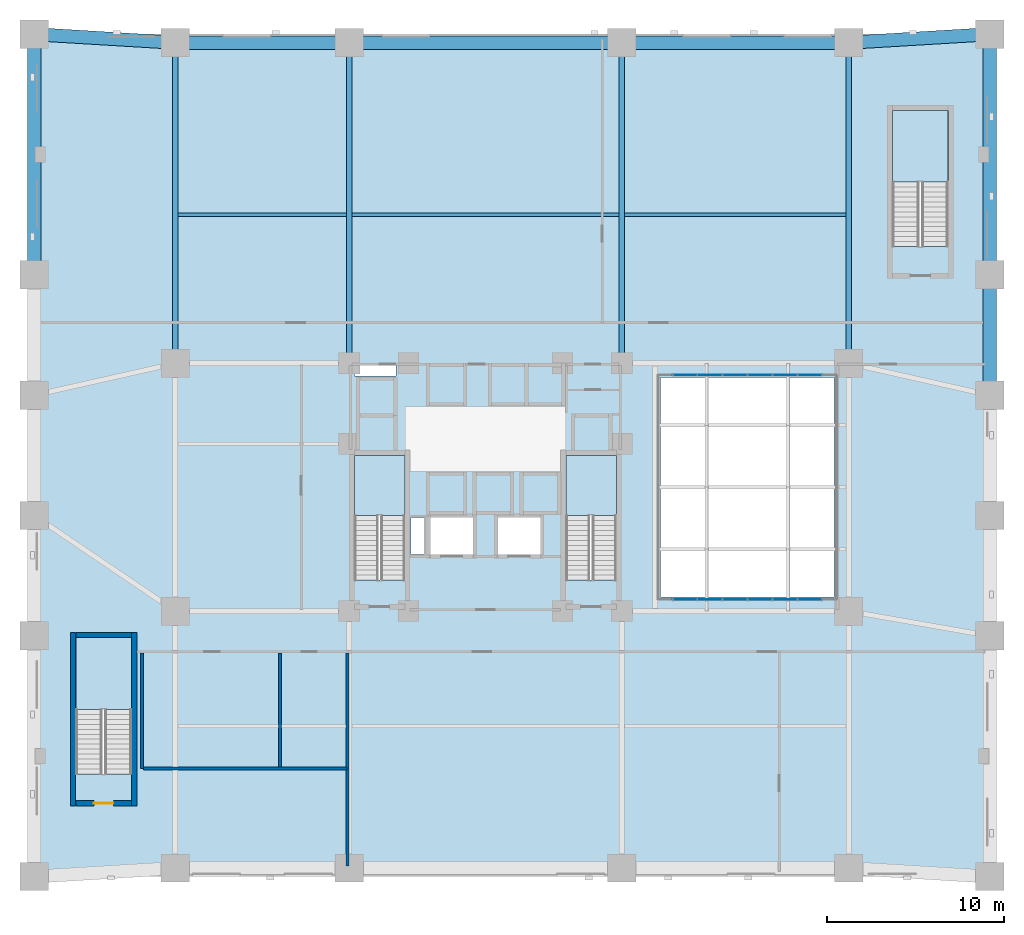
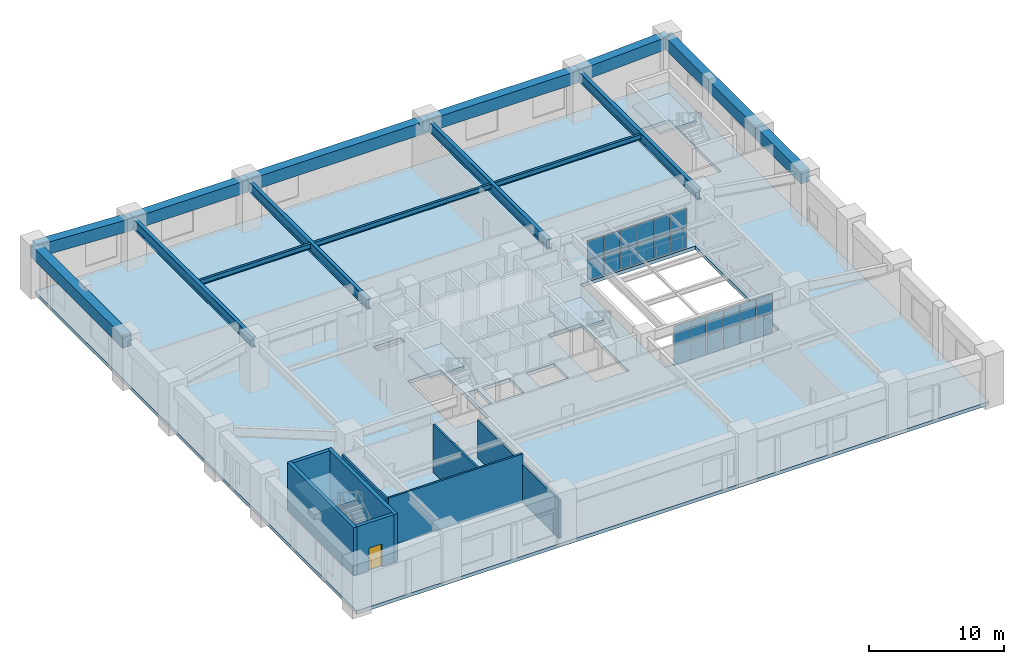
# One storey, part 3 of 11: 24 plates, 15 beams, 8 walls, 5 slabs, 1 door, 1 opening, 6 elements without a shape of their own.
"""IFC4 building model written with IfcOpenShell, lengths in metres."""

from ifc_helpers import new_model, si_unit, derived_unit, direction, frame, frame_2d, origin, origin_2d, place, context, subcontext, project, spatial, polyline, rectangle, i_section, outline, extrude, material, layer, layer_set, material_profile, profile_set, type_object, element, fill, aggregate, save


model = new_model("IFC4")

# Units and contexts
model_context = context("Model", 3, precision=1e-05, world=origin(), true_north=direction((0.0, 1.0)))
body_context = subcontext(model_context, "Body", "Model", "MODEL_VIEW")
ifc_project = project(units=[si_unit("LENGTHUNIT", "METRE"), si_unit("AREAUNIT", "SQUARE_METRE"), si_unit("VOLUMEUNIT", "CUBIC_METRE"), si_unit("PLANEANGLEUNIT", "RADIAN"), si_unit("MASSUNIT", "GRAM", prefix="KILO"), derived_unit("THERMALTRANSMITTANCEUNIT", [(si_unit("MASSUNIT", "GRAM", prefix="KILO"), 1), (si_unit("TIMEUNIT", "SECOND"), -3), (si_unit("THERMODYNAMICTEMPERATUREUNIT", "KELVIN"), -1)])], contexts=[model_context])

# Site, building, storey
site_placement = place(None, origin())
site = spatial("IfcSite", under=ifc_project, at=site_placement, CompositionType="ELEMENT")
building_placement = place(site_placement, origin())
building = spatial("IfcBuilding", under=site, at=building_placement, Name="Korrvale Station Residences", CompositionType="ELEMENT")
storey_placement = place(building_placement, frame((0.0, 0.0, 16.0)))
storey = spatial("IfcBuildingStorey", under=building, at=storey_placement, Name="L03", CompositionType="ELEMENT", Elevation=16.0)

# Beams
ifc_material_1 = material(Name="Steel S355", Category="steel")
ifc_material_profile_1 = material_profile(ifc_material_1, i_section(OverallWidth=0.300048828125, OverallDepth=0.89990234375, WebThickness=0.01611328125, FlangeThickness=0.030029296875, FilletRadius=0.01611328125, at=origin_2d()), Name="WWF900x262")
ifc_profile_set_1 = profile_set([ifc_material_profile_1], Name="Steel S355")
beam_type_1 = type_object("IfcBeamType", Name="BM-BM-WWF900x262-S355", PredefinedType="BEAM", material=ifc_profile_set_1)
for number, where, z_axis, x_axis, name in (
    (1, (7.97998046875, 29.0, 3.89990234375), (0.0, 1.0, 0.0), (-1.0, 0.0, 0.0), "L03 Station Primary Girder 03"),
    (2, (46.02001953125, 29.0, 3.89990234375), (0.0, 1.0, 0.0), (-1.0, 0.0, 0.0), "L03 Station Primary Girder 06"),
    (3, (17.800048828125, 29.0, 3.89990234375), (0.0, 1.0, 0.0), (-1.0, 0.0, 0.0), "L03 Station Primary Girder 09"),
    (4, (33.199951171875, 29.0, 3.89990234375), (0.0, 1.0, 0.0), (-1.0, 0.0, 0.0), "L03 Station Primary Girder 10"),
):
    element("IfcBeam", number, at=place(storey_placement, frame(where, z_axis=z_axis, x_axis=x_axis)), inside=storey, type_object=beam_type_1, Name=name, PredefinedType="BEAM", context=body_context, shape_type="SweptSolid", body=[
        extrude(i_section(OverallWidth=0.300048828125, OverallDepth=0.89990234375, WebThickness=0.01611328125, FlangeThickness=0.030029296875, FilletRadius=0.01611328125, at=origin_2d()), origin(), (0.0, 0.0, 1.0), 18.1201171875),
    ])
ifc_material_profile_2 = material_profile(ifc_material_1, i_section(OverallWidth=0.18994140625, OverallDepth=0.45703125, WebThickness=0.009033203125, FlangeThickness=0.014404296875, FilletRadius=0.01611328125, at=origin_2d()), Name="W460x74")
ifc_profile_set_2 = profile_set([ifc_material_profile_2], Name="Steel S355")
beam_type_2 = type_object("IfcBeamType", Name="BM-JST-W460x74-S355", PredefinedType="JOIST", material=ifc_profile_set_2)
beam_1_placement = place(storey_placement, frame((8.1298828125, 37.39990234375, 4.12158203125), z_axis=(1.0, 0.0, 0.0), x_axis=(0.0, 1.0, 0.0)))
element("IfcBeam", 5, at=beam_1_placement, inside=storey, type_object=beam_type_2, Name="L03 Station Floor Joist 01", PredefinedType="JOIST", context=body_context, shape_type="SweptSolid", body=[
    extrude(i_section(OverallWidth=0.18994140625, OverallDepth=0.45703125, WebThickness=0.009033203125, FlangeThickness=0.014404296875, FilletRadius=0.01611328125, at=origin_2d()), origin(), (0.0, 0.0, 1.0), 9.52001953125),
])
beam_2_placement = place(storey_placement, frame((17.949951171875, 37.39990234375, 4.12158203125), z_axis=(1.0, 0.0, 0.0), x_axis=(0.0, 1.0, 0.0)))
element("IfcBeam", 6, at=beam_2_placement, inside=storey, type_object=beam_type_2, Name="L03 Station Floor Joist 02", PredefinedType="JOIST", context=body_context, shape_type="SweptSolid", body=[
    extrude(i_section(OverallWidth=0.18994140625, OverallDepth=0.45703125, WebThickness=0.009033203125, FlangeThickness=0.014404296875, FilletRadius=0.01611328125, at=origin_2d()), origin(), (0.0, 0.0, 1.0), 15.10009765625),
])
beam_3_placement = place(storey_placement, frame((33.35009765625, 37.39990234375, 4.12158203125), z_axis=(1.0, 0.0, 0.0), x_axis=(0.0, 1.0, 0.0)))
element("IfcBeam", 7, at=beam_3_placement, inside=storey, type_object=beam_type_2, Name="L03 Station Floor Joist 03", PredefinedType="JOIST", context=body_context, shape_type="SweptSolid", body=[
    extrude(i_section(OverallWidth=0.18994140625, OverallDepth=0.45703125, WebThickness=0.009033203125, FlangeThickness=0.014404296875, FilletRadius=0.01611328125, at=origin_2d()), origin(), (0.0, 0.0, 1.0), 12.52001953125),
])
ifc_material_2 = material(Name="Concrete C70/85", Category="concrete")
ifc_material_profile_3 = material_profile(ifc_material_2, rectangle(XDim=0.75, YDim=1.10009765625, at=origin_2d()), Name="RCB750x1100")
ifc_profile_set_3 = profile_set([ifc_material_profile_3], Name="Concrete C70/85")
beam_type_3 = type_object("IfcBeamType", Name="BM-SPB-RCB750x1100-C7085", PredefinedType="SPANDREL", material=ifc_profile_set_3)
beam_4_placement = place(storey_placement, frame((0.0, 34.0, 3.800048828125), z_axis=(0.0, 1.0, 0.0), x_axis=(-1.0, 0.0, 0.0)))
element("IfcBeam", 8, at=beam_4_placement, inside=storey, type_object=beam_type_3, Name="L03 Station Spandrel Beam 05", PredefinedType="SPANDREL", context=body_context, shape_type="SweptSolid", body=[
    extrude(rectangle(XDim=0.75, YDim=1.10009765625, at=origin_2d()), origin(), (0.0, 0.0, 1.0), 13.60009765625),
])
beam_5_placement = place(storey_placement, frame((54.0, 27.199951171875, 3.800048828125), z_axis=(0.0, 1.0, 0.0), x_axis=(-1.0, 0.0, 0.0)))
element("IfcBeam", 9, at=beam_5_placement, inside=storey, type_object=beam_type_3, Name="L03 Station Spandrel Beam 09", PredefinedType="SPANDREL", context=body_context, shape_type="SweptSolid", body=[
    extrude(rectangle(XDim=0.75, YDim=1.10009765625, at=origin_2d()), origin(), (0.0, 0.0, 1.0), 6.800048828125),
])
beam_6_placement = place(storey_placement, frame((54.0, 34.0, 3.800048828125), z_axis=(0.0, 1.0, 0.0), x_axis=(-1.0, 0.0, 0.0)))
element("IfcBeam", 10, at=beam_6_placement, inside=storey, type_object=beam_type_3, Name="L03 Station Spandrel Beam 10", PredefinedType="SPANDREL", context=body_context, shape_type="SweptSolid", body=[
    extrude(rectangle(XDim=0.75, YDim=1.10009765625, at=origin_2d()), origin(), (0.0, 0.0, 1.0), 13.60009765625),
])
beam_7_placement = place(storey_placement, frame((0.0, 47.60009765625, 3.800048828125), z_axis=(0.998195997903, -0.060039568374, 0.0), x_axis=(0.060039568374, 0.998195997903, 0.0)))
element("IfcBeam", 11, at=beam_7_placement, inside=storey, type_object=beam_type_3, Name="L03 Station Spandrel Beam 16", PredefinedType="SPANDREL", context=body_context, shape_type="SweptSolid", body=[
    extrude(rectangle(XDim=0.75, YDim=1.10009765625, at=origin_2d()), origin(), (0.0, 0.0, 1.0), 7.994384765625),
])
beam_8_placement = place(storey_placement, frame((7.97998046875, 47.1201171875, 3.800048828125), z_axis=(1.0, 0.0, 0.0), x_axis=(0.0, 1.0, 0.0)))
element("IfcBeam", 12, at=beam_8_placement, inside=storey, type_object=beam_type_3, Name="L03 Station Spandrel Beam 17", PredefinedType="SPANDREL", context=body_context, shape_type="SweptSolid", body=[
    extrude(rectangle(XDim=0.75, YDim=1.10009765625, at=origin_2d()), origin(), (0.0, 0.0, 1.0), 9.820068359375),
])
beam_9_placement = place(storey_placement, frame((17.800048828125, 47.1201171875, 3.800048828125), z_axis=(1.0, 0.0, 0.0), x_axis=(0.0, 1.0, 0.0)))
element("IfcBeam", 13, at=beam_9_placement, inside=storey, type_object=beam_type_3, Name="L03 Station Spandrel Beam 18", PredefinedType="SPANDREL", context=body_context, shape_type="SweptSolid", body=[
    extrude(rectangle(XDim=0.75, YDim=1.10009765625, at=origin_2d()), origin(), (0.0, 0.0, 1.0), 15.39990234375),
])
beam_10_placement = place(storey_placement, frame((33.199951171875, 47.1201171875, 3.800048828125), z_axis=(1.0, 0.0, 0.0), x_axis=(0.0, 1.0, 0.0)))
element("IfcBeam", 14, at=beam_10_placement, inside=storey, type_object=beam_type_3, Name="L03 Station Spandrel Beam 19", PredefinedType="SPANDREL", context=body_context, shape_type="SweptSolid", body=[
    extrude(rectangle(XDim=0.75, YDim=1.10009765625, at=origin_2d()), origin(), (0.0, 0.0, 1.0), 12.820068359375),
])
beam_11_placement = place(storey_placement, frame((46.02001953125, 47.1201171875, 3.800048828125), z_axis=(0.998195997903, 0.060039568374, 0.0), x_axis=(-0.060039568374, 0.998195997903, 0.0)))
element("IfcBeam", 15, at=beam_11_placement, inside=storey, type_object=beam_type_3, Name="L03 Station Spandrel Beam 20", PredefinedType="SPANDREL", context=body_context, shape_type="SweptSolid", body=[
    extrude(rectangle(XDim=0.75, YDim=1.10009765625, at=origin_2d()), origin(), (0.0, 0.0, 1.0), 7.994384765625),
])

# Curtain wall, plates
ifc_material_3 = material(Name="Unitised thermally broken aluminium curtain wall with triple low-e IGU", Category="aluminium")
curtain_wall_type = type_object("IfcCurtainWallType", Name="CW-ATR-POD", PredefinedType="NOTDEFINED", material=ifc_material_3)
curtain_wall_1_placement = place(storey_placement, origin())
curtain_wall_1 = element("IfcCurtainWall", 16, at=curtain_wall_1_placement, inside=storey, type_object=curtain_wall_type, Name="L03 Curtain Wall CW3-RUN-5", PredefinedType="NOTDEFINED")
ifc_material_4 = material(Name="Triple-glazed low-e argon insulated glass unit", Category="glass")
ifc_layer_1 = layer(ifc_material_4, 0.035888671875, Name="Triple-glazed low-e argon insulated glass unit")
ifc_layer_set_1 = layer_set([ifc_layer_1], Name="Triple-glazed low-e argon insulated glass unit")
plate_type = type_object("IfcPlateType", Name="CW-ATR-POD-P", PredefinedType="CURTAIN_PANEL", material=ifc_layer_set_1)
plate_1_placement = place(storey_placement, frame((36.75830078125, 15.64990234375, 0.030029296875), z_axis=(0.0, 0.0, 1.0), x_axis=(1.0, 0.0, 0.0)))
plate_1 = element("IfcPlate", 17, at=plate_1_placement, type_object=plate_type, Name="CW-ATR-POD Glazing Panel 1-1", PredefinedType="CURTAIN_PANEL", context=body_context, shape_type="SweptSolid", body=[
    extrude(rectangle(XDim=1.356689453125, YDim=0.035888671875, at=origin_2d()), origin(), (0.0, 0.0, 1.0), 1.7900390625),
])
plate_2_placement = place(storey_placement, frame((36.75830078125, 15.64990234375, 1.880126953125), z_axis=(0.0, 0.0, 1.0), x_axis=(1.0, 0.0, 0.0)))
plate_2 = element("IfcPlate", 18, at=plate_2_placement, type_object=plate_type, Name="CW-ATR-POD Glazing Panel 1-2", PredefinedType="CURTAIN_PANEL", context=body_context, shape_type="SweptSolid", body=[
    extrude(rectangle(XDim=1.356689453125, YDim=0.035888671875, at=origin_2d()), origin(), (0.0, 0.0, 1.0), 1.68994140625),
])
plate_3_placement = place(storey_placement, frame((38.175048828125, 15.64990234375, 0.030029296875), z_axis=(0.0, 0.0, 1.0), x_axis=(1.0, 0.0, 0.0)))
plate_3 = element("IfcPlate", 19, at=plate_3_placement, type_object=plate_type, Name="CW-ATR-POD Glazing Panel 2-1", PredefinedType="CURTAIN_PANEL", context=body_context, shape_type="SweptSolid", body=[
    extrude(rectangle(XDim=1.356689453125, YDim=0.035888671875, at=origin_2d()), origin(), (0.0, 0.0, 1.0), 1.7900390625),
])
plate_4_placement = place(storey_placement, frame((38.175048828125, 15.64990234375, 1.880126953125), z_axis=(0.0, 0.0, 1.0), x_axis=(1.0, 0.0, 0.0)))
plate_4 = element("IfcPlate", 20, at=plate_4_placement, type_object=plate_type, Name="CW-ATR-POD Glazing Panel 2-2", PredefinedType="CURTAIN_PANEL", context=body_context, shape_type="SweptSolid", body=[
    extrude(rectangle(XDim=1.356689453125, YDim=0.035888671875, at=origin_2d()), origin(), (0.0, 0.0, 1.0), 1.68994140625),
])
plate_5_placement = place(storey_placement, frame((39.591796875, 15.64990234375, 0.030029296875), z_axis=(0.0, 0.0, 1.0), x_axis=(1.0, 0.0, 0.0)))
plate_5 = element("IfcPlate", 21, at=plate_5_placement, type_object=plate_type, Name="CW-ATR-POD Glazing Panel 3-1", PredefinedType="CURTAIN_PANEL", context=body_context, shape_type="SweptSolid", body=[
    extrude(rectangle(XDim=1.356689453125, YDim=0.035888671875, at=origin_2d()), origin(), (0.0, 0.0, 1.0), 1.7900390625),
])
plate_6_placement = place(storey_placement, frame((39.591796875, 15.64990234375, 1.880126953125), z_axis=(0.0, 0.0, 1.0), x_axis=(1.0, 0.0, 0.0)))
plate_6 = element("IfcPlate", 22, at=plate_6_placement, type_object=plate_type, Name="CW-ATR-POD Glazing Panel 3-2", PredefinedType="CURTAIN_PANEL", context=body_context, shape_type="SweptSolid", body=[
    extrude(rectangle(XDim=1.356689453125, YDim=0.035888671875, at=origin_2d()), origin(), (0.0, 0.0, 1.0), 1.68994140625),
])
plate_7_placement = place(storey_placement, frame((41.00830078125, 15.64990234375, 0.030029296875), z_axis=(0.0, 0.0, 1.0), x_axis=(1.0, 0.0, 0.0)))
plate_7 = element("IfcPlate", 23, at=plate_7_placement, type_object=plate_type, Name="CW-ATR-POD Glazing Panel 4-1", PredefinedType="CURTAIN_PANEL", context=body_context, shape_type="SweptSolid", body=[
    extrude(rectangle(XDim=1.356689453125, YDim=0.035888671875, at=origin_2d()), origin(), (0.0, 0.0, 1.0), 1.7900390625),
])
plate_8_placement = place(storey_placement, frame((41.00830078125, 15.64990234375, 1.880126953125), z_axis=(0.0, 0.0, 1.0), x_axis=(1.0, 0.0, 0.0)))
plate_8 = element("IfcPlate", 24, at=plate_8_placement, type_object=plate_type, Name="CW-ATR-POD Glazing Panel 4-2", PredefinedType="CURTAIN_PANEL", context=body_context, shape_type="SweptSolid", body=[
    extrude(rectangle(XDim=1.356689453125, YDim=0.035888671875, at=origin_2d()), origin(), (0.0, 0.0, 1.0), 1.68994140625),
])
plate_9_placement = place(storey_placement, frame((42.425048828125, 15.64990234375, 0.030029296875), z_axis=(0.0, 0.0, 1.0), x_axis=(1.0, 0.0, 0.0)))
plate_9 = element("IfcPlate", 25, at=plate_9_placement, type_object=plate_type, Name="CW-ATR-POD Glazing Panel 5-1", PredefinedType="CURTAIN_PANEL", context=body_context, shape_type="SweptSolid", body=[
    extrude(rectangle(XDim=1.356689453125, YDim=0.035888671875, at=origin_2d()), origin(), (0.0, 0.0, 1.0), 1.7900390625),
])
plate_10_placement = place(storey_placement, frame((42.425048828125, 15.64990234375, 1.880126953125), z_axis=(0.0, 0.0, 1.0), x_axis=(1.0, 0.0, 0.0)))
plate_10 = element("IfcPlate", 26, at=plate_10_placement, type_object=plate_type, Name="CW-ATR-POD Glazing Panel 5-2", PredefinedType="CURTAIN_PANEL", context=body_context, shape_type="SweptSolid", body=[
    extrude(rectangle(XDim=1.356689453125, YDim=0.035888671875, at=origin_2d()), origin(), (0.0, 0.0, 1.0), 1.68994140625),
])
plate_11_placement = place(storey_placement, frame((43.841796875, 15.64990234375, 0.030029296875), z_axis=(0.0, 0.0, 1.0), x_axis=(1.0, 0.0, 0.0)))
plate_11 = element("IfcPlate", 27, at=plate_11_placement, type_object=plate_type, Name="CW-ATR-POD Glazing Panel 6-1", PredefinedType="CURTAIN_PANEL", context=body_context, shape_type="SweptSolid", body=[
    extrude(rectangle(XDim=1.356689453125, YDim=0.035888671875, at=origin_2d()), origin(), (0.0, 0.0, 1.0), 1.7900390625),
])
plate_12_placement = place(storey_placement, frame((43.841796875, 15.64990234375, 1.880126953125), z_axis=(0.0, 0.0, 1.0), x_axis=(1.0, 0.0, 0.0)))
plate_12 = element("IfcPlate", 28, at=plate_12_placement, type_object=plate_type, Name="CW-ATR-POD Glazing Panel 6-2", PredefinedType="CURTAIN_PANEL", context=body_context, shape_type="SweptSolid", body=[
    extrude(rectangle(XDim=1.356689453125, YDim=0.035888671875, at=origin_2d()), origin(), (0.0, 0.0, 1.0), 1.68994140625),
])
aggregate(curtain_wall_1, [plate_1, plate_2, plate_3, plate_4, plate_5, plate_6, plate_7, plate_8, plate_9, plate_10, plate_11, plate_12])

curtain_wall_2_placement = place(storey_placement, origin())
curtain_wall_2 = element("IfcCurtainWall", 29, at=curtain_wall_2_placement, inside=storey, type_object=curtain_wall_type, Name="L03 Curtain Wall CW3-RUN-6", PredefinedType="NOTDEFINED")
plate_13_placement = place(storey_placement, frame((36.75830078125, 28.35009765625, 0.030029296875), z_axis=(0.0, 0.0, 1.0), x_axis=(1.0, 0.0, 0.0)))
plate_13 = element("IfcPlate", 30, at=plate_13_placement, type_object=plate_type, Name="CW-ATR-POD Glazing Panel 1-1", PredefinedType="CURTAIN_PANEL", context=body_context, shape_type="SweptSolid", body=[
    extrude(rectangle(XDim=1.356689453125, YDim=0.035888671875, at=origin_2d()), origin(), (0.0, 0.0, 1.0), 1.7900390625),
])
plate_14_placement = place(storey_placement, frame((36.75830078125, 28.35009765625, 1.880126953125), z_axis=(0.0, 0.0, 1.0), x_axis=(1.0, 0.0, 0.0)))
plate_14 = element("IfcPlate", 31, at=plate_14_placement, type_object=plate_type, Name="CW-ATR-POD Glazing Panel 1-2", PredefinedType="CURTAIN_PANEL", context=body_context, shape_type="SweptSolid", body=[
    extrude(rectangle(XDim=1.356689453125, YDim=0.035888671875, at=origin_2d()), origin(), (0.0, 0.0, 1.0), 1.68994140625),
])
plate_15_placement = place(storey_placement, frame((38.175048828125, 28.35009765625, 0.030029296875), z_axis=(0.0, 0.0, 1.0), x_axis=(1.0, 0.0, 0.0)))
plate_15 = element("IfcPlate", 32, at=plate_15_placement, type_object=plate_type, Name="CW-ATR-POD Glazing Panel 2-1", PredefinedType="CURTAIN_PANEL", context=body_context, shape_type="SweptSolid", body=[
    extrude(rectangle(XDim=1.356689453125, YDim=0.035888671875, at=origin_2d()), origin(), (0.0, 0.0, 1.0), 1.7900390625),
])
plate_16_placement = place(storey_placement, frame((38.175048828125, 28.35009765625, 1.880126953125), z_axis=(0.0, 0.0, 1.0), x_axis=(1.0, 0.0, 0.0)))
plate_16 = element("IfcPlate", 33, at=plate_16_placement, type_object=plate_type, Name="CW-ATR-POD Glazing Panel 2-2", PredefinedType="CURTAIN_PANEL", context=body_context, shape_type="SweptSolid", body=[
    extrude(rectangle(XDim=1.356689453125, YDim=0.035888671875, at=origin_2d()), origin(), (0.0, 0.0, 1.0), 1.68994140625),
])
plate_17_placement = place(storey_placement, frame((39.591796875, 28.35009765625, 0.030029296875), z_axis=(0.0, 0.0, 1.0), x_axis=(1.0, 0.0, 0.0)))
plate_17 = element("IfcPlate", 34, at=plate_17_placement, type_object=plate_type, Name="CW-ATR-POD Glazing Panel 3-1", PredefinedType="CURTAIN_PANEL", context=body_context, shape_type="SweptSolid", body=[
    extrude(rectangle(XDim=1.356689453125, YDim=0.035888671875, at=origin_2d()), origin(), (0.0, 0.0, 1.0), 1.7900390625),
])
plate_18_placement = place(storey_placement, frame((39.591796875, 28.35009765625, 1.880126953125), z_axis=(0.0, 0.0, 1.0), x_axis=(1.0, 0.0, 0.0)))
plate_18 = element("IfcPlate", 35, at=plate_18_placement, type_object=plate_type, Name="CW-ATR-POD Glazing Panel 3-2", PredefinedType="CURTAIN_PANEL", context=body_context, shape_type="SweptSolid", body=[
    extrude(rectangle(XDim=1.356689453125, YDim=0.035888671875, at=origin_2d()), origin(), (0.0, 0.0, 1.0), 1.68994140625),
])
plate_19_placement = place(storey_placement, frame((41.00830078125, 28.35009765625, 0.030029296875), z_axis=(0.0, 0.0, 1.0), x_axis=(1.0, 0.0, 0.0)))
plate_19 = element("IfcPlate", 36, at=plate_19_placement, type_object=plate_type, Name="CW-ATR-POD Glazing Panel 4-1", PredefinedType="CURTAIN_PANEL", context=body_context, shape_type="SweptSolid", body=[
    extrude(rectangle(XDim=1.356689453125, YDim=0.035888671875, at=origin_2d()), origin(), (0.0, 0.0, 1.0), 1.7900390625),
])
plate_20_placement = place(storey_placement, frame((41.00830078125, 28.35009765625, 1.880126953125), z_axis=(0.0, 0.0, 1.0), x_axis=(1.0, 0.0, 0.0)))
plate_20 = element("IfcPlate", 37, at=plate_20_placement, type_object=plate_type, Name="CW-ATR-POD Glazing Panel 4-2", PredefinedType="CURTAIN_PANEL", context=body_context, shape_type="SweptSolid", body=[
    extrude(rectangle(XDim=1.356689453125, YDim=0.035888671875, at=origin_2d()), origin(), (0.0, 0.0, 1.0), 1.68994140625),
])
plate_21_placement = place(storey_placement, frame((42.425048828125, 28.35009765625, 0.030029296875), z_axis=(0.0, 0.0, 1.0), x_axis=(1.0, 0.0, 0.0)))
plate_21 = element("IfcPlate", 38, at=plate_21_placement, type_object=plate_type, Name="CW-ATR-POD Glazing Panel 5-1", PredefinedType="CURTAIN_PANEL", context=body_context, shape_type="SweptSolid", body=[
    extrude(rectangle(XDim=1.356689453125, YDim=0.035888671875, at=origin_2d()), origin(), (0.0, 0.0, 1.0), 1.7900390625),
])
plate_22_placement = place(storey_placement, frame((42.425048828125, 28.35009765625, 1.880126953125), z_axis=(0.0, 0.0, 1.0), x_axis=(1.0, 0.0, 0.0)))
plate_22 = element("IfcPlate", 39, at=plate_22_placement, type_object=plate_type, Name="CW-ATR-POD Glazing Panel 5-2", PredefinedType="CURTAIN_PANEL", context=body_context, shape_type="SweptSolid", body=[
    extrude(rectangle(XDim=1.356689453125, YDim=0.035888671875, at=origin_2d()), origin(), (0.0, 0.0, 1.0), 1.68994140625),
])
plate_23_placement = place(storey_placement, frame((43.841796875, 28.35009765625, 0.030029296875), z_axis=(0.0, 0.0, 1.0), x_axis=(1.0, 0.0, 0.0)))
plate_23 = element("IfcPlate", 40, at=plate_23_placement, type_object=plate_type, Name="CW-ATR-POD Glazing Panel 6-1", PredefinedType="CURTAIN_PANEL", context=body_context, shape_type="SweptSolid", body=[
    extrude(rectangle(XDim=1.356689453125, YDim=0.035888671875, at=origin_2d()), origin(), (0.0, 0.0, 1.0), 1.7900390625),
])
plate_24_placement = place(storey_placement, frame((43.841796875, 28.35009765625, 1.880126953125), z_axis=(0.0, 0.0, 1.0), x_axis=(1.0, 0.0, 0.0)))
plate_24 = element("IfcPlate", 41, at=plate_24_placement, type_object=plate_type, Name="CW-ATR-POD Glazing Panel 6-2", PredefinedType="CURTAIN_PANEL", context=body_context, shape_type="SweptSolid", body=[
    extrude(rectangle(XDim=1.356689453125, YDim=0.035888671875, at=origin_2d()), origin(), (0.0, 0.0, 1.0), 1.68994140625),
])
aggregate(curtain_wall_2, [plate_13, plate_14, plate_15, plate_16, plate_17, plate_18, plate_19, plate_20, plate_21, plate_22, plate_23, plate_24])

# Slab
ifc_material_5 = material(Name="Concrete C50/60", Category="concrete")
ifc_layer_2 = layer(ifc_material_5, 0.320068359375, Name="Concrete C50/60")
ifc_layer_set_2 = layer_set([ifc_layer_2], Name="Concrete C50/60")
slab_type_1 = type_object("IfcSlabType", Name="SLB-FLR-320", PredefinedType="FLOOR", material=ifc_layer_set_2)
slab_1_placement = place(storey_placement, frame((0.0, 0.0, -0.320068359375)))
element("IfcSlab", 42, at=slab_1_placement, inside=storey, type_object=slab_type_1, Name="L03 Suspended Structural Floor Slab", PredefinedType="FLOOR", context=body_context, shape_type="SweptSolid", body=[
    extrude(outline(polyline([(0.0, 0.0), (54.0, 0.0), (54.0, 47.60009765625), (0.0, 47.60009765625), (0.0, 0.0)]), holes=[polyline([(20.949951171875, 16.751953125), (20.949951171875, 23.800048828125), (18.10009765625, 23.800048828125), (18.10009765625, 16.751953125), (20.949951171875, 16.751953125)]), polyline([(32.89990234375, 16.751953125), (32.89990234375, 23.800048828125), (30.050048828125, 23.800048828125), (30.050048828125, 16.751953125), (32.89990234375, 16.751953125)]), polyline([(5.5, 5.802001953125), (5.5, 13.5), (2.35009765625, 13.5), (2.35009765625, 5.802001953125), (5.5, 5.802001953125)]), polyline([(51.64990234375, 35.60205078125), (51.64990234375, 43.300048828125), (48.5, 43.300048828125), (48.5, 35.60205078125), (51.64990234375, 35.60205078125)]), polyline([(35.39990234375, 15.800048828125), (45.199951171875, 15.800048828125), (45.199951171875, 28.199951171875), (35.39990234375, 28.199951171875), (35.39990234375, 15.800048828125)]), polyline([(22.39990234375, 18.199951171875), (24.800048828125, 18.199951171875), (24.800048828125, 20.300048828125), (22.39990234375, 20.300048828125), (22.39990234375, 18.199951171875)]), polyline([(26.199951171875, 18.199951171875), (28.60009765625, 18.199951171875), (28.60009765625, 20.300048828125), (26.199951171875, 20.300048828125), (26.199951171875, 18.199951171875)]), polyline([(18.10009765625, 28.280029296875), (20.449951171875, 28.280029296875), (20.449951171875, 28.8798828125), (18.10009765625, 28.8798828125), (18.10009765625, 28.280029296875)]), polyline([(21.280029296875, 18.199951171875), (22.02001953125, 18.199951171875), (22.02001953125, 20.300048828125), (21.280029296875, 20.300048828125), (21.280029296875, 18.199951171875)])]), origin(), (0.0, 0.0, 1.0), 0.320068359375),
])

# Stair, slab
stair_type_1 = type_object("IfcStairType", Name="STR-DL-1350-28R-1714", PredefinedType="HALF_TURN_STAIR", material=ifc_material_5)
stair_1_placement = place(storey_placement, origin())
stair_1 = element("IfcStair", 43, at=stair_1_placement, inside=storey, type_object=stair_type_1, Name="L03 Exit Stair 1", PredefinedType="HALF_TURN_STAIR")
ifc_layer_3 = layer(ifc_material_5, 0.199951171875, Name="Concrete C50/60")
ifc_layer_set_3 = layer_set([ifc_layer_3], Name="Concrete C50/60")
slab_type_2 = type_object("IfcSlabType", Name="SLB-LND-200", PredefinedType="LANDING", material=ifc_layer_set_3)
slab_2_placement = place(storey_placement, frame((0.0, 0.0, 2.199951171875)))
slab_2 = element("IfcSlab", 44, at=slab_2_placement, type_object=slab_type_2, Name="ST-1 landing 1", PredefinedType="LANDING", context=body_context, shape_type="SweptSolid", body=[
    extrude(outline(polyline([(20.949951171875, 20.389892578125), (20.949951171875, 23.800048828125), (18.10009765625, 23.800048828125), (18.10009765625, 20.389892578125), (20.949951171875, 20.389892578125)])), origin(), (0.0, 0.0, 1.0), 0.199951171875),
])
aggregate(stair_1, [slab_2])

stair_2_placement = place(storey_placement, origin())
stair_2 = element("IfcStair", 45, at=stair_2_placement, inside=storey, type_object=stair_type_1, Name="L03 Exit Stair 2", PredefinedType="HALF_TURN_STAIR")
slab_3_placement = place(storey_placement, frame((0.0, 0.0, 2.199951171875)))
slab_3 = element("IfcSlab", 46, at=slab_3_placement, type_object=slab_type_2, Name="ST-2 landing 1", PredefinedType="LANDING", context=body_context, shape_type="SweptSolid", body=[
    extrude(outline(polyline([(32.89990234375, 20.389892578125), (32.89990234375, 23.800048828125), (30.050048828125, 23.800048828125), (30.050048828125, 20.389892578125), (32.89990234375, 20.389892578125)])), origin(), (0.0, 0.0, 1.0), 0.199951171875),
])
aggregate(stair_2, [slab_3])

stair_type_2 = type_object("IfcStairType", Name="STR-DL-1500-28R-1714", PredefinedType="HALF_TURN_STAIR", material=ifc_material_5)
stair_3_placement = place(storey_placement, origin())
stair_3 = element("IfcStair", 47, at=stair_3_placement, inside=storey, type_object=stair_type_2, Name="L03 Station Exit Stair 3", PredefinedType="HALF_TURN_STAIR")
slab_4_placement = place(storey_placement, frame((0.0, 0.0, 2.199951171875)))
slab_4 = element("IfcSlab", 48, at=slab_4_placement, type_object=slab_type_2, Name="ST-3 landing 1", PredefinedType="LANDING", context=body_context, shape_type="SweptSolid", body=[
    extrude(outline(polyline([(5.5, 9.43994140625), (5.5, 13.5), (2.35009765625, 13.5), (2.35009765625, 9.43994140625), (5.5, 9.43994140625)])), origin(), (0.0, 0.0, 1.0), 0.199951171875),
])
aggregate(stair_3, [slab_4])

stair_4_placement = place(storey_placement, origin())
stair_4 = element("IfcStair", 49, at=stair_4_placement, inside=storey, type_object=stair_type_2, Name="L03 Station Exit Stair 4", PredefinedType="HALF_TURN_STAIR")
slab_5_placement = place(storey_placement, frame((0.0, 0.0, 2.199951171875)))
slab_5 = element("IfcSlab", 50, at=slab_5_placement, type_object=slab_type_2, Name="ST-4 landing 1", PredefinedType="LANDING", context=body_context, shape_type="SweptSolid", body=[
    extrude(outline(polyline([(51.64990234375, 39.239990234375), (51.64990234375, 43.300048828125), (48.5, 43.300048828125), (48.5, 39.239990234375), (51.64990234375, 39.239990234375)])), origin(), (0.0, 0.0, 1.0), 0.199951171875),
])
aggregate(stair_4, [slab_5])

# Walls
ifc_layer_4 = layer(ifc_material_2, 0.300048828125, Name="Concrete C70/85")
ifc_layer_set_4 = layer_set([ifc_layer_4], Name="Concrete C70/85")
wall_type_1 = type_object("IfcWallType", Name="WAL-CORE-300-C70", PredefinedType="SHEAR", material=ifc_layer_set_4)
for number, where, z_axis, x_axis, name in (
    (51, (2.199951171875, 4.0, 0.0), (0.0, 0.0, 1.0), (0.0, 1.0, 0.0), "L03 ST-3 Core Shear Wall West"),
    (52, (5.64990234375, 4.0, 0.0), (0.0, 0.0, 1.0), (0.0, 1.0, 0.0), "L03 ST-3 Core Shear Wall East"),
):
    element("IfcWall", number, at=place(storey_placement, frame(where, z_axis=z_axis, x_axis=x_axis)), inside=storey, type_object=wall_type_1, Name=name, PredefinedType="SHEAR", context=body_context, shape_type="SweptSolid", body=[
        extrude(rectangle(XDim=9.800048828125, YDim=0.300048828125, at=frame_2d((4.89990234375, 0.0))), origin(), (0.0, 0.0, 1.0), 4.35009765625),
    ])
wall_1_placement = place(storey_placement, frame((2.35009765625, 13.64990234375, 0.0), z_axis=(0.0, 0.0, 1.0), x_axis=(1.0, 0.0, 0.0)))
element("IfcWall", 53, at=wall_1_placement, inside=storey, type_object=wall_type_1, Name="L03 ST-3 Core Shear Wall North", PredefinedType="SHEAR", context=body_context, shape_type="SweptSolid", body=[
    extrude(rectangle(XDim=3.14990234375, YDim=0.300048828125, at=frame_2d((1.574951171875, 0.0))), origin(), (0.0, 0.0, 1.0), 4.35009765625),
])

# Wall, opening, door
wall_2_placement = place(storey_placement, frame((2.35009765625, 4.14990234375, 0.0), z_axis=(0.0, 0.0, 1.0), x_axis=(1.0, 0.0, 0.0)))
wall_2 = element("IfcWall", 54, at=wall_2_placement, inside=storey, type_object=wall_type_1, Name="L03 ST-3 Core Shear Wall South", PredefinedType="SHEAR", context=body_context, shape_type="SweptSolid", body=[
    extrude(rectangle(XDim=3.14990234375, YDim=0.300048828125, at=frame_2d((1.574951171875, 0.0))), origin(), (0.0, 0.0, 1.0), 4.35009765625),
])
opening_placement = place(wall_2_placement, frame((1.02001953125, 0.0, 0.0)))
opening = element("IfcOpeningElement", 55, at=opening_placement, cuts=wall_2, Name="Opening SD-1100", PredefinedType="OPENING", context=body_context, shape_type="SweptSolid", body=[
    extrude(rectangle(XDim=1.10009765625, YDim=2.050048828125, at=frame_2d((0.550048828125, 1.02490234375))), frame((0.0, 0.16015625, 0.0), z_axis=(0.0, -1.0, 0.0), x_axis=(1.0, 0.0, 0.0)), (0.0, 0.0, 1.0), 0.320068359375),
])
ifc_material_6 = material(Name="Hollow-metal fire-rated stair door with closer", Category="steel")
door_type = type_object("IfcDoorType", Name="DR-STAIR-1100", OperationType="NOTDEFINED", PredefinedType="DOOR", material=ifc_material_6)
door_placement = place(opening_placement, origin())
door = element("IfcDoor", 56, at=door_placement, inside=storey, type_object=door_type, Name="L03 ST-3 Exit Stair Door", OperationType="SINGLE_SWING_LEFT", OverallHeight=2.050048828125, OverallWidth=1.10009765625, PredefinedType="DOOR", context=body_context, shape_type="SweptSolid", body=[
    extrude(rectangle(XDim=1.10009765625, YDim=2.050048828125, at=frame_2d((0.550048828125, 1.02490234375))), frame((0.0, 0.02490234375, 0.0), z_axis=(0.0, -1.0, 0.0), x_axis=(1.0, 0.0, 0.0)), (0.0, 0.0, 1.0), 0.050048828125),
])
fill(opening, door)

# Walls
ifc_material_7 = material(Name="Fire-rated twin-stud gypsum and mineral wool shaftwall assembly", Category="gypsum")
ifc_layer_5 = layer(ifc_material_7, 0.159912109375, Name="Fire-rated twin-stud gypsum and mineral wool shaftwall assembly")
ifc_layer_set_5 = layer_set([ifc_layer_5], Name="Fire-rated twin-stud gypsum and mineral wool shaftwall assembly")
wall_type_2 = type_object("IfcWallType", Name="WAL-PART-200", PredefinedType="PARTITIONING", material=ifc_layer_set_5)
wall_3_placement = place(storey_placement, frame((6.10009765625, 6.10009765625, 0.0), z_axis=(0.0, 0.0, 1.0), x_axis=(0.0, 1.0, 0.0)))
element("IfcWall", 57, at=wall_3_placement, inside=storey, type_object=wall_type_2, Name="L03 Interior Partition W-WC-W", PredefinedType="PARTITIONING", context=body_context, shape_type="SweptSolid", body=[
    extrude(rectangle(XDim=6.52001953125, YDim=0.159912109375, at=frame_2d((3.260009765625, 0.0))), origin(), (0.0, 0.0, 1.0), 4.35009765625),
])
wall_4_placement = place(storey_placement, frame((6.179931640625, 6.10009765625, 0.0), z_axis=(0.0, 0.0, 1.0), x_axis=(1.0, 0.0, 0.0)))
element("IfcWall", 58, at=wall_4_placement, inside=storey, type_object=wall_type_2, Name="L03 Interior Partition W-WC-S", PredefinedType="PARTITIONING", context=body_context, shape_type="SweptSolid", body=[
    extrude(rectangle(XDim=11.5, YDim=0.159912109375, at=frame_2d((5.75, 0.0))), origin(), (0.0, 0.0, 1.0), 4.35009765625),
])
wall_5_placement = place(storey_placement, frame((13.89990234375, 6.179931640625, 0.0), z_axis=(0.0, 0.0, 1.0), x_axis=(0.0, 1.0, 0.0)))
element("IfcWall", 59, at=wall_5_placement, inside=storey, type_object=wall_type_2, Name="L03 Interior Partition W-WC-M", PredefinedType="PARTITIONING", context=body_context, shape_type="SweptSolid", body=[
    extrude(rectangle(XDim=6.440185546875, YDim=0.159912109375, at=frame_2d((3.22021484375, 0.0))), origin(), (0.0, 0.0, 1.0), 4.35009765625),
])
wall_6_placement = place(storey_placement, frame((17.699951171875, 0.60009765625, 0.0), z_axis=(0.0, 0.0, 1.0), x_axis=(0.0, 1.0, 0.0)))
element("IfcWall", 60, at=wall_6_placement, inside=storey, type_object=wall_type_2, Name="L03 Interior Partition W-WC-E", PredefinedType="PARTITIONING", context=body_context, shape_type="SweptSolid", body=[
    extrude(rectangle(XDim=12.02001953125, YDim=0.159912109375, at=frame_2d((6.010009765625, 0.0))), origin(), (0.0, 0.0, 1.0), 3.43505859375),
])

save(model, "model.ifc")
